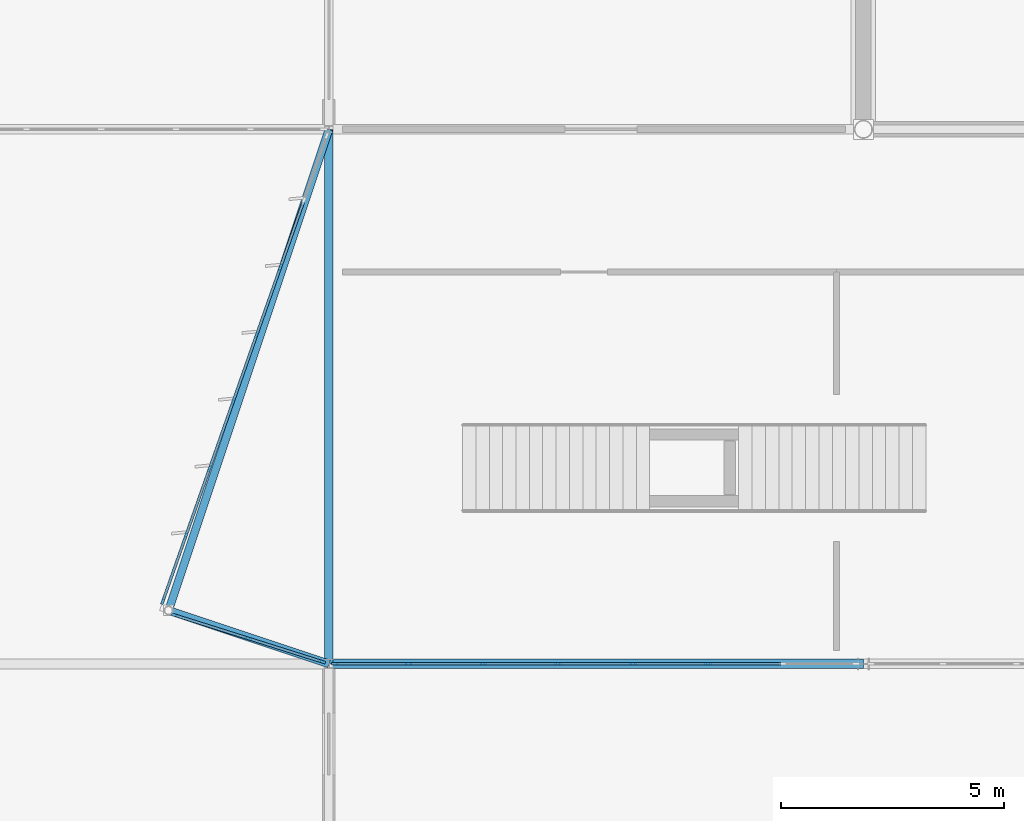
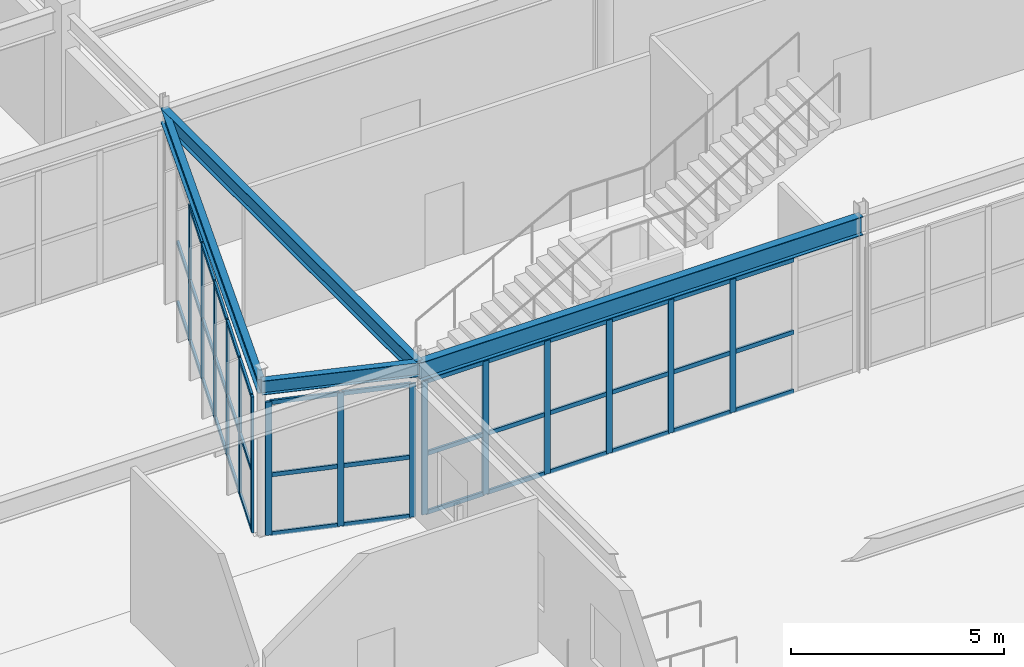
# One storey, part 101 of 199: 56 members, 4 beams, 3 elements without a shape of their own.
"""IFC4 building model written with IfcOpenShell, lengths in metres."""

from ifc_helpers import new_model, si_unit, direction, frame, origin, origin_2d, place, context, subcontext, project, spatial, rectangle, i_section, extrude, material, layer, layer_set, material_profile, profile_set, type_object, element, aggregate, save


model = new_model("IFC4")

# Units and contexts
model_context = context("Model", 3, precision=1e-05, world=origin(), true_north=direction((0.0, 1.0)))
body_context = subcontext(model_context, "Body", "Model", "MODEL_VIEW")
ifc_project = project(units=[si_unit("LENGTHUNIT", "METRE"), si_unit("AREAUNIT", "SQUARE_METRE"), si_unit("VOLUMEUNIT", "CUBIC_METRE"), si_unit("PLANEANGLEUNIT", "RADIAN"), si_unit("MASSUNIT", "GRAM", prefix="KILO")], contexts=[model_context])

# Site, building, storey
site_placement = place(None, origin())
site = spatial("IfcSite", under=ifc_project, at=site_placement, CompositionType="ELEMENT")
building_placement = place(site_placement, origin())
building = spatial("IfcBuilding", under=site, at=building_placement, Name="Tarnwether General Hospital", CompositionType="ELEMENT")
storey_placement = place(building_placement, origin())
storey = spatial("IfcBuildingStorey", under=building, at=storey_placement, Name="L00", CompositionType="ELEMENT", Elevation=0.0)

# Beams
ifc_material_1 = material(Name="Steel Grade 350 (350 MPa)", Category="steel")
ifc_material_profile_1 = material_profile(ifc_material_1, i_section(OverallWidth=0.208984375, OverallDepth=0.532958984375, WebThickness=0.01025390625, FlangeThickness=0.015625, at=origin_2d()), Name="530UB92.4")
ifc_profile_set_1 = profile_set([ifc_material_profile_1], Name="Steel Grade 350 (350 MPa)")
beam_type_1 = type_object("IfcBeamType", Name="BM-G06", PredefinedType="BEAM", material=ifc_profile_set_1)
beam_1_placement = place(storey_placement, frame((144.0, 81.60009765625, 4.178466796875), z_axis=(1.0, 0.0, 0.0), x_axis=(0.0, 1.0, 0.0)))
element("IfcBeam", 1, at=beam_1_placement, inside=storey, type_object=beam_type_1, Name="Primary Girder BMG-L00-14400_8160-15600_8160-0796", PredefinedType="BEAM", context=body_context, shape_type="SweptSolid", body=[
    extrude(i_section(OverallWidth=0.208984375, OverallDepth=0.532958984375, WebThickness=0.01025390625, FlangeThickness=0.015625, at=origin_2d()), origin(), (0.0, 0.0, 1.0), 12.0),
])
ifc_material_2 = material(Name="Steel Grade 350 (350 MPa)", Category="steel")
ifc_material_profile_2 = material_profile(ifc_material_2, i_section(OverallWidth=0.18994140625, OverallDepth=0.45703125, WebThickness=0.009033203125, FlangeThickness=0.014404296875, at=origin_2d()), Name="460UB74.6")
ifc_profile_set_2 = profile_set([ifc_material_profile_2], Name="Steel Grade 350 (350 MPa)")
beam_type_2 = type_object("IfcBeamType", Name="BM-G09", PredefinedType="BEAM", material=ifc_profile_set_2)
beam_2_placement = place(storey_placement, frame((144.0, 81.60009765625, 4.216552734375), z_axis=(0.0, 1.0, 0.0), x_axis=(-1.0, 0.0, 0.0)))
element("IfcBeam", 2, at=beam_2_placement, inside=storey, type_object=beam_type_2, Name="Primary Girder BMG-L00-14400_8160-14400_9360-0797", PredefinedType="BEAM", context=body_context, shape_type="SweptSolid", body=[
    extrude(i_section(OverallWidth=0.18994140625, OverallDepth=0.45703125, WebThickness=0.009033203125, FlangeThickness=0.014404296875, at=origin_2d()), origin(), (0.0, 0.0, 1.0), 12.0),
])
ifc_material_3 = material(Name="Steel Grade 350 (350 MPa)", Category="steel")
ifc_material_profile_3 = material_profile(ifc_material_3, i_section(OverallWidth=0.177978515625, OverallDepth=0.403076171875, WebThickness=0.007568359375, FlangeThickness=0.010986328125, at=origin_2d()), Name="410UB53.7")
ifc_profile_set_3 = profile_set([ifc_material_profile_3], Name="Steel Grade 350 (350 MPa)")
beam_type_3 = type_object("IfcBeamType", Name="BM-SP2", PredefinedType="SPANDREL", material=ifc_profile_set_3)
beam_3_placement = place(storey_placement, frame((144.0, 81.60009765625, 4.243408203125), z_axis=(-0.948689731394, 0.316208465333, 0.0), x_axis=(-0.316208465333, -0.948689731394, 0.0)))
element("IfcBeam", 3, at=beam_3_placement, inside=storey, type_object=beam_type_3, Name="Forecourt North Shard Tie BMG-L00-14400_8160-14040_8280-2226", PredefinedType="SPANDREL", context=body_context, shape_type="SweptSolid", body=[
    extrude(i_section(OverallWidth=0.177978515625, OverallDepth=0.403076171875, WebThickness=0.007568359375, FlangeThickness=0.010986328125, at=origin_2d()), origin(), (0.0, 0.0, 1.0), 3.794921875),
])
beam_4_placement = place(storey_placement, frame((140.39990234375, 82.800048828125, 4.243408203125), z_axis=(0.316234199636, 0.948681153486, 0.0), x_axis=(-0.948681153486, 0.316234199636, 0.0)))
element("IfcBeam", 4, at=beam_4_placement, inside=storey, type_object=beam_type_3, Name="Forecourt North Shard Girder BMG-L00-14040_8280-14400_9360-2227", PredefinedType="SPANDREL", context=body_context, shape_type="SweptSolid", body=[
    extrude(i_section(OverallWidth=0.177978515625, OverallDepth=0.403076171875, WebThickness=0.007568359375, FlangeThickness=0.010986328125, at=origin_2d()), origin(), (0.0, 0.0, 1.0), 11.38427734375),
])

# Curtain wall, members
ifc_material_4 = material(Name="Anodised aluminium", Category="aluminium")
ifc_layer = layer(ifc_material_4, 0.159912109375)
ifc_layer_set = layer_set([ifc_layer], Name="Anodised aluminium")
curtain_wall_type = type_object("IfcCurtainWallType", Name="CW-20", PredefinedType="NOTDEFINED", material=ifc_layer_set)
curtain_wall_1_placement = place(storey_placement, origin())
curtain_wall_1 = element("IfcCurtainWall", 5, at=curtain_wall_1_placement, inside=storey, type_object=curtain_wall_type, Name="Curtain Wall CWG-L00-1559_816-0293", PredefinedType="NOTDEFINED")
ifc_material_5 = material(Name="Anodised aluminium", Category="aluminium")
ifc_material_profile_4 = material_profile(ifc_material_5, rectangle(XDim=0.06005859375, YDim=0.159912109375, at=origin_2d()), Name="ALU-MUL-60x160")
ifc_profile_set_4 = profile_set([ifc_material_profile_4], Name="Anodised aluminium")
member_type_1 = type_object("IfcMemberType", Name="CW-ML1", PredefinedType="MULLION", material=ifc_profile_set_4)
member_1_placement = place(storey_placement, frame((152.50390625, 81.60009765625, 0.0), z_axis=(0.0, 0.0, 1.0), x_axis=(0.0, -1.0, 0.0)))
member_1 = element("IfcMember", 6, at=member_1_placement, type_object=member_type_1, Name="CW-20 mullion 3", PredefinedType="MULLION", context=body_context, shape_type="SweptSolid", body=[
    extrude(rectangle(XDim=0.06005859375, YDim=0.159912109375, at=origin_2d()), origin(), (0.0, 0.0, 1.0), 3.827880859375),
])
member_2_placement = place(storey_placement, frame((150.824951171875, 81.60009765625, 0.0), z_axis=(0.0, 0.0, 1.0), x_axis=(0.0, -1.0, 0.0)))
member_2 = element("IfcMember", 7, at=member_2_placement, type_object=member_type_1, Name="CW-20 mullion 4", PredefinedType="MULLION", context=body_context, shape_type="SweptSolid", body=[
    extrude(rectangle(XDim=0.06005859375, YDim=0.159912109375, at=origin_2d()), origin(), (0.0, 0.0, 1.0), 3.827880859375),
])
member_3_placement = place(storey_placement, frame((149.14599609375, 81.60009765625, 0.0), z_axis=(0.0, 0.0, 1.0), x_axis=(0.0, -1.0, 0.0)))
member_3 = element("IfcMember", 8, at=member_3_placement, type_object=member_type_1, Name="CW-20 mullion 5", PredefinedType="MULLION", context=body_context, shape_type="SweptSolid", body=[
    extrude(rectangle(XDim=0.06005859375, YDim=0.159912109375, at=origin_2d()), origin(), (0.0, 0.0, 1.0), 3.827880859375),
])
member_4_placement = place(storey_placement, frame((147.467041015625, 81.60009765625, 0.0), z_axis=(0.0, 0.0, 1.0), x_axis=(0.0, -1.0, 0.0)))
member_4 = element("IfcMember", 9, at=member_4_placement, type_object=member_type_1, Name="CW-20 mullion 6", PredefinedType="MULLION", context=body_context, shape_type="SweptSolid", body=[
    extrude(rectangle(XDim=0.06005859375, YDim=0.159912109375, at=origin_2d()), origin(), (0.0, 0.0, 1.0), 3.827880859375),
])
member_5_placement = place(storey_placement, frame((145.7880859375, 81.60009765625, 0.0), z_axis=(0.0, 0.0, 1.0), x_axis=(0.0, -1.0, 0.0)))
member_5 = element("IfcMember", 10, at=member_5_placement, type_object=member_type_1, Name="CW-20 mullion 7", PredefinedType="MULLION", context=body_context, shape_type="SweptSolid", body=[
    extrude(rectangle(XDim=0.06005859375, YDim=0.159912109375, at=origin_2d()), origin(), (0.0, 0.0, 1.0), 3.827880859375),
])
member_6_placement = place(storey_placement, frame((144.138916015625, 81.60009765625, 0.0), z_axis=(0.0, 0.0, 1.0), x_axis=(0.0, -1.0, 0.0)))
member_6 = element("IfcMember", 11, at=member_6_placement, type_object=member_type_1, Name="CW-20 mullion 8", PredefinedType="MULLION", context=body_context, shape_type="SweptSolid", body=[
    extrude(rectangle(XDim=0.06005859375, YDim=0.159912109375, at=origin_2d()), origin(), (0.0, 0.0, 1.0), 3.827880859375),
])

curtain_wall_2_placement = place(storey_placement, origin())
curtain_wall_2 = element("IfcCurtainWall", 12, at=curtain_wall_2_placement, inside=storey, type_object=curtain_wall_type, Name="Curtain Wall CWG-L00-1439_816-0296", PredefinedType="NOTDEFINED")
member_7_placement = place(storey_placement, frame((143.84228515625, 81.650146484375, 0.0), z_axis=(0.0, 0.0, 1.0), x_axis=(-0.301144926209, -0.953578383468, 0.0)))
member_7 = element("IfcMember", 13, at=member_7_placement, type_object=member_type_1, Name="CW-20 mullion 1", PredefinedType="MULLION", context=body_context, shape_type="SweptSolid", body=[
    extrude(rectangle(XDim=0.06005859375, YDim=0.159912109375, at=origin_2d()), origin(), (0.0, 0.0, 1.0), 3.827880859375),
])
member_8_placement = place(storey_placement, frame((142.18798828125, 82.172607421875, 0.0), z_axis=(0.0, 0.0, 1.0), x_axis=(-0.301144926209, -0.953578383468, 0.0)))
member_8 = element("IfcMember", 14, at=member_8_placement, type_object=member_type_1, Name="CW-20 mullion 2", PredefinedType="MULLION", context=body_context, shape_type="SweptSolid", body=[
    extrude(rectangle(XDim=0.06005859375, YDim=0.159912109375, at=origin_2d()), origin(), (0.0, 0.0, 1.0), 3.827880859375),
])
member_9_placement = place(storey_placement, frame((140.53369140625, 82.695068359375, 0.0), z_axis=(0.0, 0.0, 1.0), x_axis=(-0.301144926209, -0.953578383468, 0.0)))
member_9 = element("IfcMember", 15, at=member_9_placement, type_object=member_type_1, Name="CW-20 mullion 3", PredefinedType="MULLION", context=body_context, shape_type="SweptSolid", body=[
    extrude(rectangle(XDim=0.06005859375, YDim=0.159912109375, at=origin_2d()), origin(), (0.0, 0.0, 1.0), 3.827880859375),
])

curtain_wall_3_placement = place(storey_placement, origin())
curtain_wall_3 = element("IfcCurtainWall", 16, at=curtain_wall_3_placement, inside=storey, type_object=curtain_wall_type, Name="Curtain Wall CWG-L00-1403_830-0297", PredefinedType="NOTDEFINED")
member_10_placement = place(storey_placement, frame((140.27587890625, 83.015380859375, 0.0), z_axis=(0.0, 0.0, 1.0), x_axis=(-0.943301461195, 0.331937273151, 0.0)))
member_10 = element("IfcMember", 17, at=member_10_placement, type_object=member_type_1, Name="CW-20 mullion 1", PredefinedType="MULLION", context=body_context, shape_type="SweptSolid", body=[
    extrude(rectangle(XDim=0.06005859375, YDim=0.159912109375, at=origin_2d()), origin(), (0.0, 0.0, 1.0), 3.89697265625),
])
member_11_placement = place(storey_placement, frame((140.794189453125, 84.48828125, 0.0), z_axis=(0.0, 0.0, 1.0), x_axis=(-0.943301461195, 0.331937273151, 0.0)))
member_11 = element("IfcMember", 18, at=member_11_placement, type_object=member_type_1, Name="CW-20 mullion 2", PredefinedType="MULLION", context=body_context, shape_type="SweptSolid", body=[
    extrude(rectangle(XDim=0.06005859375, YDim=0.159912109375, at=origin_2d()), origin(), (0.0, 0.0, 1.0), 3.89697265625),
])
member_12_placement = place(storey_placement, frame((141.322509765625, 85.989501953125, 0.0), z_axis=(0.0, 0.0, 1.0), x_axis=(-0.943301461195, 0.331937273151, 0.0)))
member_12 = element("IfcMember", 19, at=member_12_placement, type_object=member_type_1, Name="CW-20 mullion 3", PredefinedType="MULLION", context=body_context, shape_type="SweptSolid", body=[
    extrude(rectangle(XDim=0.06005859375, YDim=0.159912109375, at=origin_2d()), origin(), (0.0, 0.0, 1.0), 3.89697265625),
])
member_13_placement = place(storey_placement, frame((141.850830078125, 87.490966796875, 0.0), z_axis=(0.0, 0.0, 1.0), x_axis=(-0.943301461195, 0.331937273151, 0.0)))
member_13 = element("IfcMember", 20, at=member_13_placement, type_object=member_type_1, Name="CW-20 mullion 4", PredefinedType="MULLION", context=body_context, shape_type="SweptSolid", body=[
    extrude(rectangle(XDim=0.06005859375, YDim=0.159912109375, at=origin_2d()), origin(), (0.0, 0.0, 1.0), 3.89697265625),
])
member_14_placement = place(storey_placement, frame((142.379150390625, 88.9921875, 0.0), z_axis=(0.0, 0.0, 1.0), x_axis=(-0.943301461195, 0.331937273151, 0.0)))
member_14 = element("IfcMember", 21, at=member_14_placement, type_object=member_type_1, Name="CW-20 mullion 5", PredefinedType="MULLION", context=body_context, shape_type="SweptSolid", body=[
    extrude(rectangle(XDim=0.06005859375, YDim=0.159912109375, at=origin_2d()), origin(), (0.0, 0.0, 1.0), 3.89697265625),
])
member_15_placement = place(storey_placement, frame((142.907470703125, 90.493408203125, 0.0), z_axis=(0.0, 0.0, 1.0), x_axis=(-0.943301461195, 0.331937273151, 0.0)))
member_15 = element("IfcMember", 22, at=member_15_placement, type_object=member_type_1, Name="CW-20 mullion 6", PredefinedType="MULLION", context=body_context, shape_type="SweptSolid", body=[
    extrude(rectangle(XDim=0.06005859375, YDim=0.159912109375, at=origin_2d()), origin(), (0.0, 0.0, 1.0), 3.89697265625),
])

# Member
ifc_material_6 = material(Name="Anodised aluminium", Category="aluminium")
ifc_material_profile_5 = material_profile(ifc_material_6, rectangle(XDim=0.06005859375, YDim=0.1201171875, at=origin_2d()), Name="ALU-TRN-60x120")
ifc_profile_set_5 = profile_set([ifc_material_profile_5], Name="Anodised aluminium")
member_type_2 = type_object("IfcMemberType", Name="CW-TR1", PredefinedType="USERDEFINED", material=ifc_profile_set_5)
member_16_placement = place(storey_placement, frame((154.153076171875, 81.60009765625, 0.030029296875), z_axis=(-1.0, 0.0, 0.0), x_axis=(0.0, -1.0, 0.0)))
member_16 = element("IfcMember", 23, at=member_16_placement, type_object=member_type_2, Name="CW-20 transom 2.1", ObjectType="TRANSOM", PredefinedType="USERDEFINED", context=body_context, shape_type="SweptSolid", body=[
    extrude(rectangle(XDim=0.06005859375, YDim=0.1201171875, at=origin_2d()), origin(), (0.0, 0.0, 1.0), 1.619140625),
])

member_17_placement = place(storey_placement, frame((154.153076171875, 81.60009765625, 1.72265625), z_axis=(-1.0, 0.0, 0.0), x_axis=(0.0, -1.0, 0.0)))
member_17 = element("IfcMember", 24, at=member_17_placement, type_object=member_type_2, Name="CW-20 transom 2.2", ObjectType="TRANSOM", PredefinedType="USERDEFINED", context=body_context, shape_type="SweptSolid", body=[
    extrude(rectangle(XDim=0.06005859375, YDim=0.1201171875, at=origin_2d()), origin(), (0.0, 0.0, 1.0), 1.619140625),
])

member_18_placement = place(storey_placement, frame((154.153076171875, 81.60009765625, 3.798095703125), z_axis=(-1.0, 0.0, 0.0), x_axis=(0.0, -1.0, 0.0)))
member_18 = element("IfcMember", 25, at=member_18_placement, type_object=member_type_2, Name="CW-20 transom 2.3", ObjectType="TRANSOM", PredefinedType="USERDEFINED", context=body_context, shape_type="SweptSolid", body=[
    extrude(rectangle(XDim=0.06005859375, YDim=0.1201171875, at=origin_2d()), origin(), (0.0, 0.0, 1.0), 1.619140625),
])

member_19_placement = place(storey_placement, frame((152.47412109375, 81.60009765625, 0.030029296875), z_axis=(-1.0, 0.0, 0.0), x_axis=(0.0, -1.0, 0.0)))
member_19 = element("IfcMember", 26, at=member_19_placement, type_object=member_type_2, Name="CW-20 transom 3.1", ObjectType="TRANSOM", PredefinedType="USERDEFINED", context=body_context, shape_type="SweptSolid", body=[
    extrude(rectangle(XDim=0.06005859375, YDim=0.1201171875, at=origin_2d()), origin(), (0.0, 0.0, 1.0), 1.619140625),
])

member_20_placement = place(storey_placement, frame((152.47412109375, 81.60009765625, 1.72265625), z_axis=(-1.0, 0.0, 0.0), x_axis=(0.0, -1.0, 0.0)))
member_20 = element("IfcMember", 27, at=member_20_placement, type_object=member_type_2, Name="CW-20 transom 3.2", ObjectType="TRANSOM", PredefinedType="USERDEFINED", context=body_context, shape_type="SweptSolid", body=[
    extrude(rectangle(XDim=0.06005859375, YDim=0.1201171875, at=origin_2d()), origin(), (0.0, 0.0, 1.0), 1.619140625),
])

member_21_placement = place(storey_placement, frame((152.47412109375, 81.60009765625, 3.798095703125), z_axis=(-1.0, 0.0, 0.0), x_axis=(0.0, -1.0, 0.0)))
member_21 = element("IfcMember", 28, at=member_21_placement, type_object=member_type_2, Name="CW-20 transom 3.3", ObjectType="TRANSOM", PredefinedType="USERDEFINED", context=body_context, shape_type="SweptSolid", body=[
    extrude(rectangle(XDim=0.06005859375, YDim=0.1201171875, at=origin_2d()), origin(), (0.0, 0.0, 1.0), 1.619140625),
])

member_22_placement = place(storey_placement, frame((150.794921875, 81.60009765625, 0.030029296875), z_axis=(-1.0, 0.0, 0.0), x_axis=(0.0, -1.0, 0.0)))
member_22 = element("IfcMember", 29, at=member_22_placement, type_object=member_type_2, Name="CW-20 transom 4.1", ObjectType="TRANSOM", PredefinedType="USERDEFINED", context=body_context, shape_type="SweptSolid", body=[
    extrude(rectangle(XDim=0.06005859375, YDim=0.1201171875, at=origin_2d()), origin(), (0.0, 0.0, 1.0), 1.618896484375),
])

member_23_placement = place(storey_placement, frame((150.794921875, 81.60009765625, 1.72265625), z_axis=(-1.0, 0.0, 0.0), x_axis=(0.0, -1.0, 0.0)))
member_23 = element("IfcMember", 30, at=member_23_placement, type_object=member_type_2, Name="CW-20 transom 4.2", ObjectType="TRANSOM", PredefinedType="USERDEFINED", context=body_context, shape_type="SweptSolid", body=[
    extrude(rectangle(XDim=0.06005859375, YDim=0.1201171875, at=origin_2d()), origin(), (0.0, 0.0, 1.0), 1.618896484375),
])

member_24_placement = place(storey_placement, frame((150.794921875, 81.60009765625, 3.798095703125), z_axis=(-1.0, 0.0, 0.0), x_axis=(0.0, -1.0, 0.0)))
member_24 = element("IfcMember", 31, at=member_24_placement, type_object=member_type_2, Name="CW-20 transom 4.3", ObjectType="TRANSOM", PredefinedType="USERDEFINED", context=body_context, shape_type="SweptSolid", body=[
    extrude(rectangle(XDim=0.06005859375, YDim=0.1201171875, at=origin_2d()), origin(), (0.0, 0.0, 1.0), 1.618896484375),
])

member_25_placement = place(storey_placement, frame((149.115966796875, 81.60009765625, 0.030029296875), z_axis=(-1.0, 0.0, 0.0), x_axis=(0.0, -1.0, 0.0)))
member_25 = element("IfcMember", 32, at=member_25_placement, type_object=member_type_2, Name="CW-20 transom 5.1", ObjectType="TRANSOM", PredefinedType="USERDEFINED", context=body_context, shape_type="SweptSolid", body=[
    extrude(rectangle(XDim=0.06005859375, YDim=0.1201171875, at=origin_2d()), origin(), (0.0, 0.0, 1.0), 1.618896484375),
])

member_26_placement = place(storey_placement, frame((149.115966796875, 81.60009765625, 1.72265625), z_axis=(-1.0, 0.0, 0.0), x_axis=(0.0, -1.0, 0.0)))
member_26 = element("IfcMember", 33, at=member_26_placement, type_object=member_type_2, Name="CW-20 transom 5.2", ObjectType="TRANSOM", PredefinedType="USERDEFINED", context=body_context, shape_type="SweptSolid", body=[
    extrude(rectangle(XDim=0.06005859375, YDim=0.1201171875, at=origin_2d()), origin(), (0.0, 0.0, 1.0), 1.618896484375),
])

member_27_placement = place(storey_placement, frame((149.115966796875, 81.60009765625, 3.798095703125), z_axis=(-1.0, 0.0, 0.0), x_axis=(0.0, -1.0, 0.0)))
member_27 = element("IfcMember", 34, at=member_27_placement, type_object=member_type_2, Name="CW-20 transom 5.3", ObjectType="TRANSOM", PredefinedType="USERDEFINED", context=body_context, shape_type="SweptSolid", body=[
    extrude(rectangle(XDim=0.06005859375, YDim=0.1201171875, at=origin_2d()), origin(), (0.0, 0.0, 1.0), 1.618896484375),
])

member_28_placement = place(storey_placement, frame((147.43701171875, 81.60009765625, 0.030029296875), z_axis=(-1.0, 0.0, 0.0), x_axis=(0.0, -1.0, 0.0)))
member_28 = element("IfcMember", 35, at=member_28_placement, type_object=member_type_2, Name="CW-20 transom 6.1", ObjectType="TRANSOM", PredefinedType="USERDEFINED", context=body_context, shape_type="SweptSolid", body=[
    extrude(rectangle(XDim=0.06005859375, YDim=0.1201171875, at=origin_2d()), origin(), (0.0, 0.0, 1.0), 1.618896484375),
])

member_29_placement = place(storey_placement, frame((147.43701171875, 81.60009765625, 1.72265625), z_axis=(-1.0, 0.0, 0.0), x_axis=(0.0, -1.0, 0.0)))
member_29 = element("IfcMember", 36, at=member_29_placement, type_object=member_type_2, Name="CW-20 transom 6.2", ObjectType="TRANSOM", PredefinedType="USERDEFINED", context=body_context, shape_type="SweptSolid", body=[
    extrude(rectangle(XDim=0.06005859375, YDim=0.1201171875, at=origin_2d()), origin(), (0.0, 0.0, 1.0), 1.618896484375),
])

member_30_placement = place(storey_placement, frame((147.43701171875, 81.60009765625, 3.798095703125), z_axis=(-1.0, 0.0, 0.0), x_axis=(0.0, -1.0, 0.0)))
member_30 = element("IfcMember", 37, at=member_30_placement, type_object=member_type_2, Name="CW-20 transom 6.3", ObjectType="TRANSOM", PredefinedType="USERDEFINED", context=body_context, shape_type="SweptSolid", body=[
    extrude(rectangle(XDim=0.06005859375, YDim=0.1201171875, at=origin_2d()), origin(), (0.0, 0.0, 1.0), 1.618896484375),
])

member_31_placement = place(storey_placement, frame((145.758056640625, 81.60009765625, 0.030029296875), z_axis=(-1.0, 0.0, 0.0), x_axis=(0.0, -1.0, 0.0)))
member_31 = element("IfcMember", 38, at=member_31_placement, type_object=member_type_2, Name="CW-20 transom 7.1", ObjectType="TRANSOM", PredefinedType="USERDEFINED", context=body_context, shape_type="SweptSolid", body=[
    extrude(rectangle(XDim=0.06005859375, YDim=0.1201171875, at=origin_2d()), origin(), (0.0, 0.0, 1.0), 1.589111328125),
])

member_32_placement = place(storey_placement, frame((145.758056640625, 81.60009765625, 1.72265625), z_axis=(-1.0, 0.0, 0.0), x_axis=(0.0, -1.0, 0.0)))
member_32 = element("IfcMember", 39, at=member_32_placement, type_object=member_type_2, Name="CW-20 transom 7.2", ObjectType="TRANSOM", PredefinedType="USERDEFINED", context=body_context, shape_type="SweptSolid", body=[
    extrude(rectangle(XDim=0.06005859375, YDim=0.1201171875, at=origin_2d()), origin(), (0.0, 0.0, 1.0), 1.589111328125),
])

member_33_placement = place(storey_placement, frame((145.758056640625, 81.60009765625, 3.798095703125), z_axis=(-1.0, 0.0, 0.0), x_axis=(0.0, -1.0, 0.0)))
member_33 = element("IfcMember", 40, at=member_33_placement, type_object=member_type_2, Name="CW-20 transom 7.3", ObjectType="TRANSOM", PredefinedType="USERDEFINED", context=body_context, shape_type="SweptSolid", body=[
    extrude(rectangle(XDim=0.06005859375, YDim=0.1201171875, at=origin_2d()), origin(), (0.0, 0.0, 1.0), 1.589111328125),
])

aggregate(curtain_wall_1, [member_1, member_2, member_3, member_4, member_5, member_6, member_16, member_17, member_18, member_19, member_20, member_21, member_22, member_23, member_24, member_25, member_26, member_27, member_28, member_29, member_30, member_31, member_32, member_33])

member_34_placement = place(storey_placement, frame((143.813720703125, 81.6591796875, 0.030029296875), z_axis=(-0.953578259113, 0.301145319983, 0.0), x_axis=(-0.301145319983, -0.953578259113, 0.0)))
member_34 = element("IfcMember", 41, at=member_34_placement, type_object=member_type_2, Name="CW-20 transom 1.1", ObjectType="TRANSOM", PredefinedType="USERDEFINED", context=body_context, shape_type="SweptSolid", body=[
    extrude(rectangle(XDim=0.06005859375, YDim=0.1201171875, at=origin_2d()), origin(), (0.0, 0.0, 1.0), 1.6748046875),
])

member_35_placement = place(storey_placement, frame((143.813720703125, 81.6591796875, 1.72265625), z_axis=(-0.953578259113, 0.301145319983, 0.0), x_axis=(-0.301145319983, -0.953578259113, 0.0)))
member_35 = element("IfcMember", 42, at=member_35_placement, type_object=member_type_2, Name="CW-20 transom 1.2", ObjectType="TRANSOM", PredefinedType="USERDEFINED", context=body_context, shape_type="SweptSolid", body=[
    extrude(rectangle(XDim=0.06005859375, YDim=0.1201171875, at=origin_2d()), origin(), (0.0, 0.0, 1.0), 1.6748046875),
])

member_36_placement = place(storey_placement, frame((143.813720703125, 81.6591796875, 3.798095703125), z_axis=(-0.953578259113, 0.301145319983, 0.0), x_axis=(-0.301145319983, -0.953578259113, 0.0)))
member_36 = element("IfcMember", 43, at=member_36_placement, type_object=member_type_2, Name="CW-20 transom 1.3", ObjectType="TRANSOM", PredefinedType="USERDEFINED", context=body_context, shape_type="SweptSolid", body=[
    extrude(rectangle(XDim=0.06005859375, YDim=0.1201171875, at=origin_2d()), origin(), (0.0, 0.0, 1.0), 1.6748046875),
])

member_37_placement = place(storey_placement, frame((142.159423828125, 82.181640625, 0.030029296875), z_axis=(-0.953578259113, 0.301145319983, 0.0), x_axis=(-0.301145319983, -0.953578259113, 0.0)))
member_37 = element("IfcMember", 44, at=member_37_placement, type_object=member_type_2, Name="CW-20 transom 2.1", ObjectType="TRANSOM", PredefinedType="USERDEFINED", context=body_context, shape_type="SweptSolid", body=[
    extrude(rectangle(XDim=0.06005859375, YDim=0.1201171875, at=origin_2d()), origin(), (0.0, 0.0, 1.0), 1.6748046875),
])

member_38_placement = place(storey_placement, frame((142.159423828125, 82.181640625, 1.72265625), z_axis=(-0.953578259113, 0.301145319983, 0.0), x_axis=(-0.301145319983, -0.953578259113, 0.0)))
member_38 = element("IfcMember", 45, at=member_38_placement, type_object=member_type_2, Name="CW-20 transom 2.2", ObjectType="TRANSOM", PredefinedType="USERDEFINED", context=body_context, shape_type="SweptSolid", body=[
    extrude(rectangle(XDim=0.06005859375, YDim=0.1201171875, at=origin_2d()), origin(), (0.0, 0.0, 1.0), 1.6748046875),
])

member_39_placement = place(storey_placement, frame((142.159423828125, 82.181640625, 3.798095703125), z_axis=(-0.953578259113, 0.301145319983, 0.0), x_axis=(-0.301145319983, -0.953578259113, 0.0)))
member_39 = element("IfcMember", 46, at=member_39_placement, type_object=member_type_2, Name="CW-20 transom 2.3", ObjectType="TRANSOM", PredefinedType="USERDEFINED", context=body_context, shape_type="SweptSolid", body=[
    extrude(rectangle(XDim=0.06005859375, YDim=0.1201171875, at=origin_2d()), origin(), (0.0, 0.0, 1.0), 1.6748046875),
])

aggregate(curtain_wall_2, [member_7, member_8, member_9, member_34, member_35, member_36, member_37, member_38, member_39])

member_40_placement = place(storey_placement, frame((140.285888671875, 83.043701171875, 0.030029296875), z_axis=(0.332037502352, 0.943266185672, 0.0), x_axis=(-0.943266185672, 0.332037502352, 0.0)))
member_40 = element("IfcMember", 47, at=member_40_placement, type_object=member_type_2, Name="CW-20 transom 1.1", ObjectType="TRANSOM", PredefinedType="USERDEFINED", context=body_context, shape_type="SweptSolid", body=[
    extrude(rectangle(XDim=0.06005859375, YDim=0.1201171875, at=origin_2d()), origin(), (0.0, 0.0, 1.0), 1.50146484375),
])

member_41_placement = place(storey_placement, frame((140.285888671875, 83.043701171875, 1.753662109375), z_axis=(0.332037502352, 0.943266185672, 0.0), x_axis=(-0.943266185672, 0.332037502352, 0.0)))
member_41 = element("IfcMember", 48, at=member_41_placement, type_object=member_type_2, Name="CW-20 transom 1.2", ObjectType="TRANSOM", PredefinedType="USERDEFINED", context=body_context, shape_type="SweptSolid", body=[
    extrude(rectangle(XDim=0.06005859375, YDim=0.1201171875, at=origin_2d()), origin(), (0.0, 0.0, 1.0), 1.50146484375),
])

member_42_placement = place(storey_placement, frame((140.285888671875, 83.043701171875, 3.866943359375), z_axis=(0.332037502352, 0.943266185672, 0.0), x_axis=(-0.943266185672, 0.332037502352, 0.0)))
member_42 = element("IfcMember", 49, at=member_42_placement, type_object=member_type_2, Name="CW-20 transom 1.3", ObjectType="TRANSOM", PredefinedType="USERDEFINED", context=body_context, shape_type="SweptSolid", body=[
    extrude(rectangle(XDim=0.06005859375, YDim=0.1201171875, at=origin_2d()), origin(), (0.0, 0.0, 1.0), 1.50146484375),
])

member_43_placement = place(storey_placement, frame((140.80419921875, 84.5166015625, 0.030029296875), z_axis=(0.331919346834, 0.943307769075, 0.0), x_axis=(-0.943307769075, 0.331919346834, 0.0)))
member_43 = element("IfcMember", 50, at=member_43_placement, type_object=member_type_2, Name="CW-20 transom 2.1", ObjectType="TRANSOM", PredefinedType="USERDEFINED", context=body_context, shape_type="SweptSolid", body=[
    extrude(rectangle(XDim=0.06005859375, YDim=0.1201171875, at=origin_2d()), origin(), (0.0, 0.0, 1.0), 1.531494140625),
])

member_44_placement = place(storey_placement, frame((140.80419921875, 84.5166015625, 1.753662109375), z_axis=(0.331919346834, 0.943307769075, 0.0), x_axis=(-0.943307769075, 0.331919346834, 0.0)))
member_44 = element("IfcMember", 51, at=member_44_placement, type_object=member_type_2, Name="CW-20 transom 2.2", ObjectType="TRANSOM", PredefinedType="USERDEFINED", context=body_context, shape_type="SweptSolid", body=[
    extrude(rectangle(XDim=0.06005859375, YDim=0.1201171875, at=origin_2d()), origin(), (0.0, 0.0, 1.0), 1.531494140625),
])

member_45_placement = place(storey_placement, frame((140.80419921875, 84.5166015625, 3.866943359375), z_axis=(0.331919346834, 0.943307769075, 0.0), x_axis=(-0.943307769075, 0.331919346834, 0.0)))
member_45 = element("IfcMember", 52, at=member_45_placement, type_object=member_type_2, Name="CW-20 transom 2.3", ObjectType="TRANSOM", PredefinedType="USERDEFINED", context=body_context, shape_type="SweptSolid", body=[
    extrude(rectangle(XDim=0.06005859375, YDim=0.1201171875, at=origin_2d()), origin(), (0.0, 0.0, 1.0), 1.531494140625),
])

member_46_placement = place(storey_placement, frame((141.33251953125, 86.017822265625, 0.030029296875), z_axis=(0.331869438099, 0.943325328853, 0.0), x_axis=(-0.943325328853, 0.331869438099, 0.0)))
member_46 = element("IfcMember", 53, at=member_46_placement, type_object=member_type_2, Name="CW-20 transom 3.1", ObjectType="TRANSOM", PredefinedType="USERDEFINED", context=body_context, shape_type="SweptSolid", body=[
    extrude(rectangle(XDim=0.06005859375, YDim=0.1201171875, at=origin_2d()), origin(), (0.0, 0.0, 1.0), 1.53173828125),
])

member_47_placement = place(storey_placement, frame((141.33251953125, 86.017822265625, 1.753662109375), z_axis=(0.331869438099, 0.943325328853, 0.0), x_axis=(-0.943325328853, 0.331869438099, 0.0)))
member_47 = element("IfcMember", 54, at=member_47_placement, type_object=member_type_2, Name="CW-20 transom 3.2", ObjectType="TRANSOM", PredefinedType="USERDEFINED", context=body_context, shape_type="SweptSolid", body=[
    extrude(rectangle(XDim=0.06005859375, YDim=0.1201171875, at=origin_2d()), origin(), (0.0, 0.0, 1.0), 1.53173828125),
])

member_48_placement = place(storey_placement, frame((141.33251953125, 86.017822265625, 3.866943359375), z_axis=(0.331869438099, 0.943325328853, 0.0), x_axis=(-0.943325328853, 0.331869438099, 0.0)))
member_48 = element("IfcMember", 55, at=member_48_placement, type_object=member_type_2, Name="CW-20 transom 3.3", ObjectType="TRANSOM", PredefinedType="USERDEFINED", context=body_context, shape_type="SweptSolid", body=[
    extrude(rectangle(XDim=0.06005859375, YDim=0.1201171875, at=origin_2d()), origin(), (0.0, 0.0, 1.0), 1.53173828125),
])

member_49_placement = place(storey_placement, frame((141.86083984375, 87.51904296875, 0.030029296875), z_axis=(0.331869438099, 0.943325328853, 0.0), x_axis=(-0.943325328853, 0.331869438099, 0.0)))
member_49 = element("IfcMember", 56, at=member_49_placement, type_object=member_type_2, Name="CW-20 transom 4.1", ObjectType="TRANSOM", PredefinedType="USERDEFINED", context=body_context, shape_type="SweptSolid", body=[
    extrude(rectangle(XDim=0.06005859375, YDim=0.1201171875, at=origin_2d()), origin(), (0.0, 0.0, 1.0), 1.53173828125),
])

member_50_placement = place(storey_placement, frame((141.86083984375, 87.51904296875, 1.753662109375), z_axis=(0.331869438099, 0.943325328853, 0.0), x_axis=(-0.943325328853, 0.331869438099, 0.0)))
member_50 = element("IfcMember", 57, at=member_50_placement, type_object=member_type_2, Name="CW-20 transom 4.2", ObjectType="TRANSOM", PredefinedType="USERDEFINED", context=body_context, shape_type="SweptSolid", body=[
    extrude(rectangle(XDim=0.06005859375, YDim=0.1201171875, at=origin_2d()), origin(), (0.0, 0.0, 1.0), 1.53173828125),
])

member_51_placement = place(storey_placement, frame((141.86083984375, 87.51904296875, 3.866943359375), z_axis=(0.331869438099, 0.943325328853, 0.0), x_axis=(-0.943325328853, 0.331869438099, 0.0)))
member_51 = element("IfcMember", 58, at=member_51_placement, type_object=member_type_2, Name="CW-20 transom 4.3", ObjectType="TRANSOM", PredefinedType="USERDEFINED", context=body_context, shape_type="SweptSolid", body=[
    extrude(rectangle(XDim=0.06005859375, YDim=0.1201171875, at=origin_2d()), origin(), (0.0, 0.0, 1.0), 1.53173828125),
])

member_52_placement = place(storey_placement, frame((142.38916015625, 89.0205078125, 0.030029296875), z_axis=(0.331919346834, 0.943307769075, 0.0), x_axis=(-0.943307769075, 0.331919346834, 0.0)))
member_52 = element("IfcMember", 59, at=member_52_placement, type_object=member_type_2, Name="CW-20 transom 5.1", ObjectType="TRANSOM", PredefinedType="USERDEFINED", context=body_context, shape_type="SweptSolid", body=[
    extrude(rectangle(XDim=0.06005859375, YDim=0.1201171875, at=origin_2d()), origin(), (0.0, 0.0, 1.0), 1.531494140625),
])

member_53_placement = place(storey_placement, frame((142.38916015625, 89.0205078125, 1.753662109375), z_axis=(0.331919346834, 0.943307769075, 0.0), x_axis=(-0.943307769075, 0.331919346834, 0.0)))
member_53 = element("IfcMember", 60, at=member_53_placement, type_object=member_type_2, Name="CW-20 transom 5.2", ObjectType="TRANSOM", PredefinedType="USERDEFINED", context=body_context, shape_type="SweptSolid", body=[
    extrude(rectangle(XDim=0.06005859375, YDim=0.1201171875, at=origin_2d()), origin(), (0.0, 0.0, 1.0), 1.531494140625),
])

member_54_placement = place(storey_placement, frame((142.38916015625, 89.0205078125, 3.866943359375), z_axis=(0.331919346834, 0.943307769075, 0.0), x_axis=(-0.943307769075, 0.331919346834, 0.0)))
member_54 = element("IfcMember", 61, at=member_54_placement, type_object=member_type_2, Name="CW-20 transom 5.3", ObjectType="TRANSOM", PredefinedType="USERDEFINED", context=body_context, shape_type="SweptSolid", body=[
    extrude(rectangle(XDim=0.06005859375, YDim=0.1201171875, at=origin_2d()), origin(), (0.0, 0.0, 1.0), 1.531494140625),
])

member_55_placement = place(storey_placement, frame((142.91748046875, 90.521728515625, 0.030029296875), z_axis=(0.331919346834, 0.943307769075, 0.0), x_axis=(-0.943307769075, 0.331919346834, 0.0)))
member_55 = element("IfcMember", 62, at=member_55_placement, type_object=member_type_2, Name="CW-20 transom 6.1", ObjectType="TRANSOM", PredefinedType="USERDEFINED", context=body_context, shape_type="SweptSolid", body=[
    extrude(rectangle(XDim=0.06005859375, YDim=0.1201171875, at=origin_2d()), origin(), (0.0, 0.0, 1.0), 1.531494140625),
])

member_56_placement = place(storey_placement, frame((142.91748046875, 90.521728515625, 1.753662109375), z_axis=(0.331919346834, 0.943307769075, 0.0), x_axis=(-0.943307769075, 0.331919346834, 0.0)))
member_56 = element("IfcMember", 63, at=member_56_placement, type_object=member_type_2, Name="CW-20 transom 6.2", ObjectType="TRANSOM", PredefinedType="USERDEFINED", context=body_context, shape_type="SweptSolid", body=[
    extrude(rectangle(XDim=0.06005859375, YDim=0.1201171875, at=origin_2d()), origin(), (0.0, 0.0, 1.0), 1.531494140625),
])

aggregate(curtain_wall_3, [member_10, member_11, member_12, member_13, member_14, member_15, member_40, member_41, member_42, member_43, member_44, member_45, member_46, member_47, member_48, member_49, member_50, member_51, member_52, member_53, member_54, member_55, member_56])

save(model, "model.ifc")
